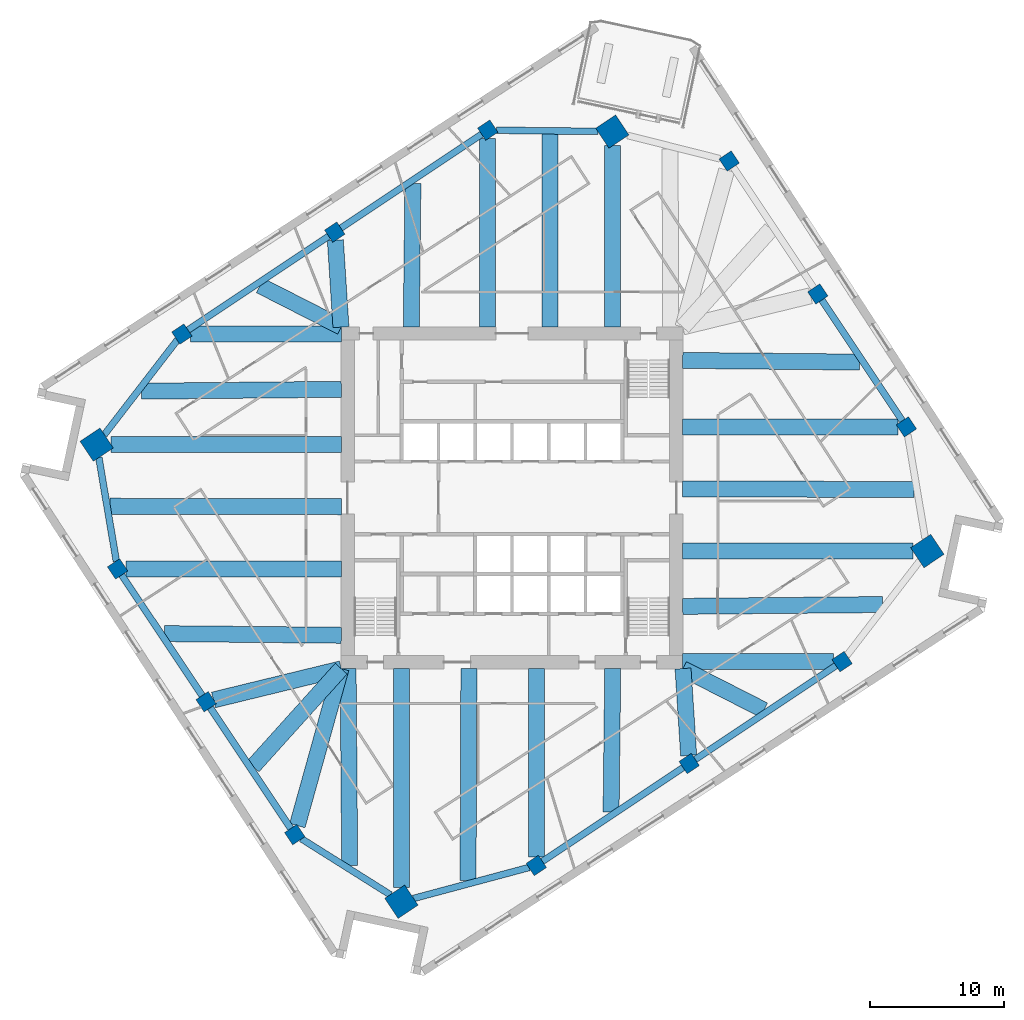
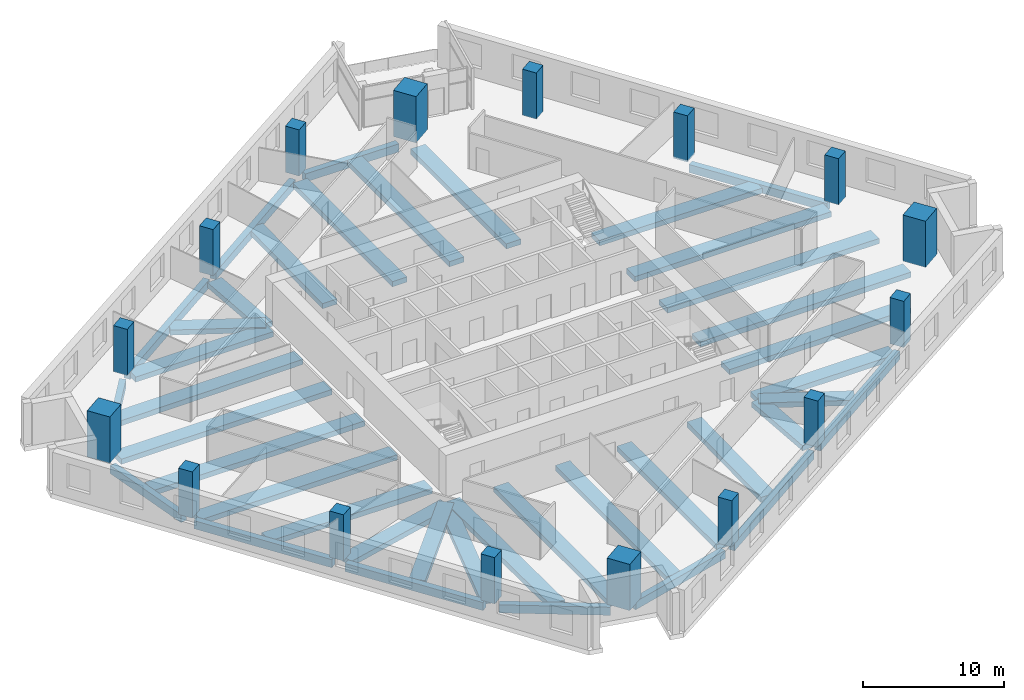
# One storey, part 1 of 12: 40 beams, 16 columns.
"""IFC4 building model written with IfcOpenShell, lengths in metres."""

import ifcopenshell
import ifcopenshell.guid

model = None  # the IFC model being written
_history = None  # IfcOwnerHistory: only IFC2X3 demands one
_inside = {}  # id of a spatial element -> (the spatial element, [elements in it])
_under = {}  # id of a project, library or spatial element -> (it, [spatial elements below it])
_declared = {}  # id of a project -> (the project, [libraries it declares])
_typed = {}  # id of a type object -> (the type object, [elements of that type])
_made_of = {}  # id of a material, layer set ... -> (it, [elements and type objects made of it])


def new_model(schema):
    """Start an empty IFC model of exactly this schema.

    Asked for "IFC4X3", IfcOpenShell would pick the latest addendum, in which some entities
    have other attributes; the version numbers below select the first issue.
    IFC2X3 requires an IfcOwnerHistory on every rooted entity: one is made here for all.
    """
    global model, _history
    if schema == "IFC4X3":
        model = ifcopenshell.file(schema_version=(4, 3, 0, 0))
    else:
        model = ifcopenshell.file(schema=schema)
    _inside.clear()
    _under.clear()
    _declared.clear()
    _typed.clear()
    _made_of.clear()
    _history = None
    if model.schema == "IFC2X3":
        org = make("IfcOrganization", Name="unknown")
        user = make(
            "IfcPersonAndOrganization",
            ThePerson=make("IfcPerson", FamilyName="unknown"),
            TheOrganization=org,
        )
        app = make(
            "IfcApplication",
            ApplicationDeveloper=org,
            Version="unknown",
            ApplicationFullName="unknown",
            ApplicationIdentifier="unknown",
        )
        _history = make(
            "IfcOwnerHistory",
            OwningUser=user,
            OwningApplication=app,
            ChangeAction="ADDED",
            CreationDate=0,
        )
    return model


def make(cls, **values):
    """One entity of the class cls with the attributes given. An attribute that is None is left unset."""
    return model.create_entity(
        cls, **{name: value for name, value in values.items() if value is not None}
    )


def rooted(cls, **values):
    """An entity with a GlobalId (a new one), such as an element, a storey or a relation."""
    return make(cls, GlobalId=ifcopenshell.guid.new(), OwnerHistory=_history, **values)


def si_unit(unit_type, name, prefix=None):
    """IfcSIUnit, for example si_unit("LENGTHUNIT", "METRE", prefix="MILLI")."""
    return make("IfcSIUnit", UnitType=unit_type, Prefix=prefix, Name=name)


def assignment(units):
    """IfcUnitAssignment: the units of a project."""
    return None if units is None else make("IfcUnitAssignment", Units=units)


def point(xyz):
    """IfcCartesianPoint."""
    return None if xyz is None else make("IfcCartesianPoint", Coordinates=xyz)


def direction(xyz):
    """IfcDirection."""
    return None if xyz is None else make("IfcDirection", DirectionRatios=xyz)


def frame(location, z_axis=None, x_axis=None):
    """IfcAxis2Placement3D, a coordinate frame: its origin and axes. An axis left out is left unset."""
    return make(
        "IfcAxis2Placement3D",
        Location=point(location),
        Axis=direction(z_axis),
        RefDirection=direction(x_axis),
    )


def frame_2d(location, x_axis=None):
    """IfcAxis2Placement2D, a coordinate frame in the plane: its origin and x axis."""
    return make(
        "IfcAxis2Placement2D", Location=point(location), RefDirection=direction(x_axis)
    )


def origin():
    """The frame at (0, 0, 0) with its axes left unset."""
    return frame((0.0, 0.0, 0.0))


def origin_2d():
    """The frame at (0, 0) in the plane with its x axis left unset."""
    return frame_2d((0.0, 0.0))


def place(relative_to, where):
    """IfcLocalPlacement: puts the frame where relative to a parent placement (None: the world)."""
    return make(
        "IfcLocalPlacement", PlacementRelTo=relative_to, RelativePlacement=where
    )


def context(
    kind, dimensions, precision=None, world=None, true_north=None, identifier=None
):
    """IfcGeometricRepresentationContext, for example the 3D "Model" context."""
    return make(
        "IfcGeometricRepresentationContext",
        ContextIdentifier=identifier,
        ContextType=kind,
        CoordinateSpaceDimension=dimensions,
        Precision=precision,
        WorldCoordinateSystem=world,
        TrueNorth=true_north,
    )


def subcontext(parent, identifier, kind, view, scale=None):
    """IfcGeometricRepresentationSubContext, for example "Body" below "Model"."""
    return make(
        "IfcGeometricRepresentationSubContext",
        ContextIdentifier=identifier,
        ContextType=kind,
        ParentContext=parent,
        TargetScale=scale,
        TargetView=view,
    )


def project(units=None, contexts=None):
    """IfcProject with its units and contexts."""
    return rooted(
        "IfcProject",
        Name="project",
        RepresentationContexts=contexts,
        UnitsInContext=assignment(units),
    )


def spatial(cls, under=None, at=None, **own):
    """A site, building, storey or space (cls), placed at a placement, below another one or the project."""
    s = rooted(cls, ObjectPlacement=at, **own)
    if under is not None:
        _under.setdefault(under.id(), (under, []))[1].append(s)
    return s


def profile(cls, at=None, kind="AREA", **sizes):
    """A parametric profile (cls). Its sizes go by their IFC names, for example OverallWidth=200.0."""
    return make(cls, ProfileType=kind, Position=at, **sizes)


def rectangle(**sizes):
    """IfcRectangleProfileDef."""
    return profile("IfcRectangleProfileDef", **sizes)


def extrude(swept, where, along, depth):
    """IfcExtrudedAreaSolid: the profile swept, set in the frame where, extruded along a direction by depth."""
    return make(
        "IfcExtrudedAreaSolid",
        SweptArea=swept,
        Position=where,
        ExtrudedDirection=direction(along),
        Depth=depth,
    )


def shape(context_of_items, identifier, shape_type, items):
    """IfcShapeRepresentation: the items that make up one representation, for example the "Body"."""
    return make(
        "IfcShapeRepresentation",
        ContextOfItems=context_of_items,
        RepresentationIdentifier=identifier,
        RepresentationType=shape_type,
        Items=items,
    )


def material(Name=None, Category=None):
    """IfcMaterial."""
    return make("IfcMaterial", Name=Name, Category=Category)


def material_profile(
    of_material, cross_section, Name=None, Category=None, Priority=None
):
    """IfcMaterialProfile: a cross section and its material."""
    return make(
        "IfcMaterialProfile",
        Name=Name,
        Material=of_material,
        Profile=cross_section,
        Priority=Priority,
        Category=Category,
    )


def profile_set(profiles, Name=None, composite=None):
    """IfcMaterialProfileSet."""
    return make(
        "IfcMaterialProfileSet",
        Name=Name,
        MaterialProfiles=profiles,
        CompositeProfile=composite,
    )


def made_of(thing, what):
    """Note that an element or type object is made of a material, layer set ...; save() writes the relation."""
    if what is not None:
        _made_of.setdefault(what.id(), (what, []))[1].append(thing)
    return thing


def type_object(cls, material=None, **own):
    """A type object (cls), such as IfcWallType, which elements share."""
    return made_of(rooted(cls, **own), material)


def element(
    cls,
    number,
    at=None,
    inside=None,
    cuts=None,
    type_object=None,
    material=None,
    context=None,
    identifier="Body",
    shape_type=None,
    held_by="IfcProductDefinitionShape",
    body=None,
    shapes=None,
    **own,
):
    """One element of the class cls, such as IfcWall. Its Tag is "e" and its number.

    at: its placement. inside: the storey or other place that contains it. cuts: it is an
    opening in that element (IfcRelVoidsElement). A single representation is given by context,
    identifier, shape_type and body (its items); several are given by shapes. held_by: the class
    of the entity that holds the representations. save() writes the other relations.
    """
    e = rooted(cls, Tag="e%d" % number, ObjectPlacement=at, **own)
    if body is not None:
        shapes = [shape(context, identifier, shape_type, body)]
    if shapes is not None:
        e.Representation = make(held_by, Representations=shapes)
    if inside is not None:
        _inside.setdefault(inside.id(), (inside, []))[1].append(e)
    if cuts is not None:
        rooted(
            "IfcRelVoidsElement", RelatingBuildingElement=cuts, RelatedOpeningElement=e
        )
    if type_object is not None:
        _typed.setdefault(type_object.id(), (type_object, []))[1].append(e)
    return made_of(e, material)


def aggregate(whole, parts):
    """IfcRelAggregates: a whole, such as a stair, and the parts it consists of."""
    return rooted("IfcRelAggregates", RelatingObject=whole, RelatedObjects=parts)


def save(model, path):
    """Write the relations noted so far, then the file.

    IfcRelAggregates (storeys below a building ...), IfcRelContainedInSpatialStructure (elements
    in a storey), IfcRelDefinesByType, IfcRelAssociatesMaterial and IfcRelDeclares: one each for
    every whole, place, type object, material and project.
    """
    for whole, parts in _under.values():
        aggregate(whole, parts)
    for where, things in _inside.values():
        rooted(
            "IfcRelContainedInSpatialStructure",
            RelatedElements=things,
            RelatingStructure=where,
        )
    for kind, things in _typed.values():
        rooted("IfcRelDefinesByType", RelatedObjects=things, RelatingType=kind)
    for what, things in _made_of.values():
        rooted("IfcRelAssociatesMaterial", RelatedObjects=things, RelatingMaterial=what)
    for by, libraries in _declared.values():
        rooted("IfcRelDeclares", RelatingContext=by, RelatedDefinitions=libraries)
    model.write(path)


model = new_model("IFC4")

# Units and contexts
model_context = context("Model", 3, precision=1e-05, world=origin(), true_north=direction((0.0, 1.0)))
body_context = subcontext(model_context, "Body", "Model", "MODEL_VIEW")
ifc_project = project(units=[si_unit("LENGTHUNIT", "METRE"), si_unit("AREAUNIT", "SQUARE_METRE"), si_unit("VOLUMEUNIT", "CUBIC_METRE"), si_unit("PLANEANGLEUNIT", "RADIAN"), si_unit("MASSUNIT", "GRAM", prefix="KILO")], contexts=[model_context])

# Site, building, storey
site_placement = place(None, origin())
site = spatial("IfcSite", under=ifc_project, at=site_placement, CompositionType="ELEMENT")
building_placement = place(site_placement, origin())
building = spatial("IfcBuilding", under=site, at=building_placement, Name="Dilmun Exchange Tower", CompositionType="ELEMENT")
storey_placement = place(building_placement, frame((0.0, 0.0, 155.699951171875)))
storey = spatial("IfcBuildingStorey", under=building, at=storey_placement, Name="L36", CompositionType="ELEMENT", Elevation=155.699951171875)

# Columns
ifc_material_1 = material(Name="Concrete C60/75", Category="concrete")
ifc_material_profile_1 = material_profile(ifc_material_1, rectangle(XDim=1.800048828125, YDim=1.800048828125, at=origin_2d()), Name="1800 x 1800")
ifc_profile_set_1 = profile_set([ifc_material_profile_1], Name="Concrete C60/75")
column_type_1 = type_object("IfcColumnType", Name="RC mega column 1800 x 1800 C60/75", PredefinedType="COLUMN", material=ifc_profile_set_1)
for number, where, z_axis, x_axis, name in (
    (1, (7.506103515625, 27.409912109375, 0.0), (0.0, 0.0, 1.0), (0.832028680356, 0.55473261583, 0.0), "Mega column M1"),
    (2, (-31.0791015625, 3.98193359375, 0.0), (0.0, 0.0, 1.0), (0.832028680356, 0.55473261583, 0.0), "Mega column M2"),
    (3, (-8.27587890625, -30.220947265625, 0.0), (0.0, 0.0, 1.0), (0.832028680356, 0.55473261583, 0.0), "Mega column M3"),
    (4, (31.0791015625, -3.98193359375, 0.0), (0.0, 0.0, 1.0), (0.832028680356, 0.55473261583, 0.0), "Mega column M4"),
):
    element("IfcColumn", number, at=place(storey_placement, frame(where, z_axis=z_axis, x_axis=x_axis)), inside=storey, type_object=column_type_1, Name=name, PredefinedType="COLUMN", context=body_context, shape_type="SweptSolid", body=[
        extrude(rectangle(XDim=1.800048828125, YDim=1.800048828125, at=origin_2d()), origin(), (0.0, 0.0, 1.0), 4.0),
    ])
ifc_material_profile_2 = material_profile(ifc_material_1, rectangle(XDim=1.10009765625, YDim=1.10009765625, at=origin_2d()), Name="1100 x 1100")
ifc_profile_set_2 = profile_set([ifc_material_profile_2], Name="Concrete C60/75")
column_type_2 = type_object("IfcColumnType", Name="RC ring column 1100 x 1100 C60/75", PredefinedType="COLUMN", material=ifc_profile_set_2)
for number, where, z_axis, x_axis, name in (
    (5, (-1.818115234375, 27.512939453125, 0.0), (0.0, 0.0, 1.0), (0.832028680356, 0.55473261583, 0.0), "Ring column R01"),
    (6, (-13.258056640625, 19.885009765625, 0.0), (0.0, 0.0, 1.0), (0.832028680356, 0.55473261583, 0.0), "Ring column R02"),
    (7, (-24.698974609375, 12.258056640625, 0.0), (0.0, 0.0, 1.0), (0.832028680356, 0.55473261583, 0.0), "Ring column R03"),
    (8, (-29.510009765625, -5.31201171875, 0.0), (0.0, 0.0, 1.0), (0.832028680356, 0.55473261583, 0.0), "Ring column R04"),
    (9, (-22.881103515625, -15.2548828125, 0.0), (0.0, 0.0, 1.0), (0.832028680356, 0.55473261583, 0.0), "Ring column R05"),
    (10, (-16.251953125, -25.197998046875, 0.0), (0.0, 0.0, 1.0), (0.832028680356, 0.55473261583, 0.0), "Ring column R06"),
    (11, (1.818115234375, -27.512939453125, 0.0), (0.0, 0.0, 1.0), (0.832028680356, 0.55473261583, 0.0), "Ring column R07"),
    (12, (13.258056640625, -19.885009765625, 0.0), (0.0, 0.0, 1.0), (0.832028680356, 0.55473261583, 0.0), "Ring column R08"),
    (13, (24.698974609375, -12.258056640625, 0.0), (0.0, 0.0, 1.0), (0.832028680356, 0.55473261583, 0.0), "Ring column R09"),
    (14, (29.510009765625, 5.31201171875, 0.0), (0.0, 0.0, 1.0), (0.832028680356, 0.55473261583, 0.0), "Ring column R10"),
    (15, (22.881103515625, 15.2548828125, 0.0), (0.0, 0.0, 1.0), (0.832028680356, 0.55473261583, 0.0), "Ring column R11"),
    (16, (16.251953125, 25.197998046875, 0.0), (0.0, 0.0, 1.0), (0.832028680356, 0.55473261583, 0.0), "Ring column R12"),
):
    element("IfcColumn", number, at=place(storey_placement, frame(where, z_axis=z_axis, x_axis=x_axis)), inside=storey, type_object=column_type_2, Name=name, PredefinedType="COLUMN", context=body_context, shape_type="SweptSolid", body=[
        extrude(rectangle(XDim=1.10009765625, YDim=1.10009765625, at=origin_2d()), origin(), (0.0, 0.0, 1.0), 4.0),
    ])

# Beams
ifc_material_2 = material(Name="Concrete C40/50", Category="concrete")
ifc_material_profile_3 = material_profile(ifc_material_2, rectangle(XDim=1.199951171875, YDim=0.449951171875, at=origin_2d()), Name="1200 x 450")
ifc_profile_set_3 = profile_set([ifc_material_profile_3], Name="Concrete C40/50")
beam_type_1 = type_object("IfcBeamType", Name="RC band beam 1200 x 450 C40/50", PredefinedType="BEAM", material=ifc_profile_set_3)
beam_1_placement = place(storey_placement, frame((7.506103515625, 26.355224609375, -0.724853515625), z_axis=(0.0, -1.0, 0.0), x_axis=(1.0, 0.0, 0.0)))
element("IfcBeam", 17, at=beam_1_placement, inside=storey, type_object=beam_type_1, Name="Band beam 1", PredefinedType="BEAM", context=body_context, shape_type="SweptSolid", body=[
    extrude(rectangle(XDim=1.199951171875, YDim=0.449951171875, at=origin_2d()), origin(), (0.0, 0.0, 1.0), 13.582275390625),
])
beam_2_placement = place(storey_placement, frame((-1.818115234375, 26.87890625, -0.724853515625), z_axis=(0.0, -1.0, 0.0), x_axis=(1.0, 0.0, 0.0)))
element("IfcBeam", 18, at=beam_2_placement, inside=storey, type_object=beam_type_1, Name="Band beam 2", PredefinedType="BEAM", context=body_context, shape_type="SweptSolid", body=[
    extrude(rectangle(XDim=1.199951171875, YDim=0.449951171875, at=origin_2d()), origin(), (0.0, 0.0, 1.0), 14.10595703125),
])
beam_3_placement = place(storey_placement, frame((-13.21875, 19.2783203125, -0.724853515625), z_axis=(0.064492965824, -0.997918161654, 0.0), x_axis=(0.997918161654, 0.064492965824, 0.0)))
element("IfcBeam", 19, at=beam_3_placement, inside=storey, type_object=beam_type_1, Name="Band beam 3", PredefinedType="BEAM", context=body_context, shape_type="SweptSolid", body=[
    extrude(rectangle(XDim=1.199951171875, YDim=0.449951171875, at=origin_2d()), origin(), (0.0, 0.0, 1.0), 6.518798828125),
])
beam_4_placement = place(storey_placement, frame((-24.06494140625, 12.258056640625, -0.724853515625), z_axis=(1.0, 0.0, 0.0), x_axis=(0.0, 1.0, 0.0)))
element("IfcBeam", 20, at=beam_4_placement, inside=storey, type_object=beam_type_1, Name="Band beam 4", PredefinedType="BEAM", context=body_context, shape_type="SweptSolid", body=[
    extrude(rectangle(XDim=1.199951171875, YDim=0.449951171875, at=origin_2d()), origin(), (0.0, 0.0, 1.0), 11.2919921875),
])
beam_5_placement = place(storey_placement, frame((-30.0244140625, 3.98193359375, -0.724853515625), z_axis=(1.0, 0.0, 0.0), x_axis=(0.0, 1.0, 0.0)))
element("IfcBeam", 21, at=beam_5_placement, inside=storey, type_object=beam_type_1, Name="Band beam 5", PredefinedType="BEAM", context=body_context, shape_type="SweptSolid", body=[
    extrude(rectangle(XDim=1.199951171875, YDim=0.449951171875, at=origin_2d()), origin(), (0.0, 0.0, 1.0), 17.25146484375),
])
beam_6_placement = place(storey_placement, frame((-28.8759765625, -5.31201171875, -0.724853515625), z_axis=(1.0, 0.0, 0.0), x_axis=(0.0, 1.0, 0.0)))
element("IfcBeam", 22, at=beam_6_placement, inside=storey, type_object=beam_type_1, Name="Band beam 6", PredefinedType="BEAM", context=body_context, shape_type="SweptSolid", body=[
    extrude(rectangle(XDim=1.199951171875, YDim=0.449951171875, at=origin_2d()), origin(), (0.0, 0.0, 1.0), 16.10302734375),
])
beam_7_placement = place(storey_placement, frame((-22.33837890625, -15.122802734375, -0.724853515625), z_axis=(0.971607999859, 0.236596480554, 0.0), x_axis=(-0.236596480554, 0.971607999859, 0.0)))
element("IfcBeam", 23, at=beam_7_placement, inside=storey, type_object=beam_type_1, Name="Band beam 7", PredefinedType="BEAM", context=body_context, shape_type="SweptSolid", body=[
    extrude(rectangle(XDim=1.199951171875, YDim=0.449951171875, at=origin_2d()), origin(), (0.0, 0.0, 1.0), 9.84423828125),
])
beam_8_placement = place(storey_placement, frame((-16.064453125, -24.524658203125, -0.724853515625), z_axis=(0.268225004284, 0.963356292904, 0.0), x_axis=(-0.963356292904, 0.268225004284, 0.0)))
element("IfcBeam", 24, at=beam_8_placement, inside=storey, type_object=beam_type_1, Name="Band beam 8", PredefinedType="BEAM", context=body_context, shape_type="SweptSolid", body=[
    extrude(rectangle(XDim=1.199951171875, YDim=0.449951171875, at=origin_2d()), origin(), (0.0, 0.0, 1.0), 12.19775390625),
])
beam_9_placement = place(storey_placement, frame((-8.27587890625, -29.166259765625, -0.724853515625), z_axis=(0.0, 1.0, 0.0), x_axis=(-1.0, 0.0, 0.0)))
element("IfcBeam", 25, at=beam_9_placement, inside=storey, type_object=beam_type_1, Name="Band beam 9", PredefinedType="BEAM", context=body_context, shape_type="SweptSolid", body=[
    extrude(rectangle(XDim=1.199951171875, YDim=0.449951171875, at=origin_2d()), origin(), (0.0, 0.0, 1.0), 16.393310546875),
])
beam_10_placement = place(storey_placement, frame((1.818115234375, -26.87890625, -0.724853515625), z_axis=(0.0, 1.0, 0.0), x_axis=(-1.0, 0.0, 0.0)))
element("IfcBeam", 26, at=beam_10_placement, inside=storey, type_object=beam_type_1, Name="Band beam 10", PredefinedType="BEAM", context=body_context, shape_type="SweptSolid", body=[
    extrude(rectangle(XDim=1.199951171875, YDim=0.449951171875, at=origin_2d()), origin(), (0.0, 0.0, 1.0), 14.10595703125),
])
beam_11_placement = place(storey_placement, frame((13.21875, -19.2783203125, -0.724853515625), z_axis=(-0.064492965824, 0.997918161654, 0.0), x_axis=(-0.997918161654, -0.064492965824, 0.0)))
element("IfcBeam", 27, at=beam_11_placement, inside=storey, type_object=beam_type_1, Name="Band beam 11", PredefinedType="BEAM", context=body_context, shape_type="SweptSolid", body=[
    extrude(rectangle(XDim=1.199951171875, YDim=0.449951171875, at=origin_2d()), origin(), (0.0, 0.0, 1.0), 6.518798828125),
])
beam_12_placement = place(storey_placement, frame((24.06494140625, -12.258056640625, -0.724853515625), z_axis=(-1.0, 0.0, 0.0), x_axis=(0.0, -1.0, 0.0)))
element("IfcBeam", 28, at=beam_12_placement, inside=storey, type_object=beam_type_1, Name="Band beam 12", PredefinedType="BEAM", context=body_context, shape_type="SweptSolid", body=[
    extrude(rectangle(XDim=1.199951171875, YDim=0.449951171875, at=origin_2d()), origin(), (0.0, 0.0, 1.0), 11.2919921875),
])
beam_13_placement = place(storey_placement, frame((30.0244140625, -3.98193359375, -0.724853515625), z_axis=(-1.0, 0.0, 0.0), x_axis=(0.0, -1.0, 0.0)))
element("IfcBeam", 29, at=beam_13_placement, inside=storey, type_object=beam_type_1, Name="Band beam 13", PredefinedType="BEAM", context=body_context, shape_type="SweptSolid", body=[
    extrude(rectangle(XDim=1.199951171875, YDim=0.449951171875, at=origin_2d()), origin(), (0.0, 0.0, 1.0), 17.25146484375),
])
beam_14_placement = place(storey_placement, frame((28.8759765625, 5.31201171875, -0.724853515625), z_axis=(-1.0, 0.0, 0.0), x_axis=(0.0, -1.0, 0.0)))
element("IfcBeam", 30, at=beam_14_placement, inside=storey, type_object=beam_type_1, Name="Band beam 14", PredefinedType="BEAM", context=body_context, shape_type="SweptSolid", body=[
    extrude(rectangle(XDim=1.199951171875, YDim=0.449951171875, at=origin_2d()), origin(), (0.0, 0.0, 1.0), 16.10302734375),
])
beam_15_placement = place(storey_placement, frame((2.841552734375, 27.238525390625, -0.625), z_axis=(0.00016877352, -0.999999985758, 0.0), x_axis=(0.999999985758, 0.00016877352, 0.0)))
element("IfcBeam", 31, at=beam_15_placement, inside=storey, type_object=beam_type_1, Name="Band beam 17", PredefinedType="BEAM", context=body_context, shape_type="SweptSolid", body=[
    extrude(rectangle(XDim=1.199951171875, YDim=0.449951171875, at=origin_2d()), origin(), (0.0, 0.0, 1.0), 14.465576171875),
])
beam_16_placement = place(storey_placement, frame((-7.414306640625, 23.513427734375, -0.625), z_axis=(-0.011523795482, -0.999933598864, 0.0), x_axis=(0.999933598864, -0.011523795482, 0.0)))
element("IfcBeam", 32, at=beam_16_placement, inside=storey, type_object=beam_type_1, Name="Band beam 18", PredefinedType="BEAM", context=body_context, shape_type="SweptSolid", body=[
    extrude(rectangle(XDim=1.199951171875, YDim=0.449951171875, at=origin_2d()), origin(), (0.0, 0.0, 1.0), 10.7412109375),
])
beam_17_placement = place(storey_placement, frame((-18.854736328125, 15.885986328125, -0.625), z_axis=(0.890922045004, -0.454156261354, 0.0), x_axis=(0.454156261354, 0.890922045004, 0.0)))
element("IfcBeam", 33, at=beam_17_placement, inside=storey, type_object=beam_type_1, Name="Band beam 19", PredefinedType="BEAM", context=body_context, shape_type="SweptSolid", body=[
    extrude(rectangle(XDim=1.199951171875, YDim=0.449951171875, at=origin_2d()), origin(), (0.0, 0.0, 1.0), 6.82275390625),
])
beam_18_placement = place(storey_placement, frame((-27.71240234375, 7.98388671875, -0.625), z_axis=(0.99995842598, 0.009118459957, 0.0), x_axis=(-0.009118459957, 0.99995842598, 0.0)))
element("IfcBeam", 34, at=beam_18_placement, inside=storey, type_object=beam_type_1, Name="Band beam 20", PredefinedType="BEAM", context=body_context, shape_type="SweptSolid", body=[
    extrude(rectangle(XDim=1.199951171875, YDim=0.449951171875, at=origin_2d()), origin(), (0.0, 0.0, 1.0), 14.940185546875),
])
beam_19_placement = place(storey_placement, frame((-30.07470703125, -0.6279296875, -0.625), z_axis=(0.999997699854, -0.002144827713, 0.0), x_axis=(0.002144827713, 0.999997699854, 0.0)))
element("IfcBeam", 35, at=beam_19_placement, inside=storey, type_object=beam_type_1, Name="Band beam 21", PredefinedType="BEAM", context=body_context, shape_type="SweptSolid", body=[
    extrude(rectangle(XDim=1.199951171875, YDim=0.449951171875, at=origin_2d()), origin(), (0.0, 0.0, 1.0), 17.3017578125),
])
beam_20_placement = place(storey_placement, frame((-26.010009765625, -10.159912109375, -0.625), z_axis=(0.999956454863, -0.009332115424, 0.0), x_axis=(0.009332115424, 0.999956454863, 0.0)))
element("IfcBeam", 36, at=beam_20_placement, inside=storey, type_object=beam_type_1, Name="Band beam 22", PredefinedType="BEAM", context=body_context, shape_type="SweptSolid", body=[
    extrude(rectangle(XDim=1.199951171875, YDim=0.449951171875, at=origin_2d()), origin(), (0.0, 0.0, 1.0), 13.237548828125),
])
beam_21_placement = place(storey_placement, frame((-19.381103515625, -20.102783203125, -0.625), z_axis=(0.669462647611, 0.742845719819, 0.0), x_axis=(-0.742845719819, 0.669462647611, 0.0)))
element("IfcBeam", 37, at=beam_21_placement, inside=storey, type_object=beam_type_1, Name="Band beam 23", PredefinedType="BEAM", context=body_context, shape_type="SweptSolid", body=[
    extrude(rectangle(XDim=1.199951171875, YDim=0.449951171875, at=origin_2d()), origin(), (0.0, 0.0, 1.0), 9.857666015625),
])
beam_22_placement = place(storey_placement, frame((-12.145263671875, -27.520751953125, -0.625), z_axis=(-0.008045164826, 0.999967637138, 0.0), x_axis=(-0.999967637138, -0.008045164826, 0.0)))
element("IfcBeam", 38, at=beam_22_placement, inside=storey, type_object=beam_type_1, Name="Band beam 24", PredefinedType="BEAM", context=body_context, shape_type="SweptSolid", body=[
    extrude(rectangle(XDim=1.199951171875, YDim=0.449951171875, at=origin_2d()), origin(), (0.0, 0.0, 1.0), 14.748291015625),
])
beam_23_placement = place(storey_placement, frame((-3.286865234375, -28.651611328125, -0.625), z_axis=(0.003643943273, 0.999993360817, 0.0), x_axis=(-0.999993360817, 0.003643943273, 0.0)))
element("IfcBeam", 39, at=beam_23_placement, inside=storey, type_object=beam_type_1, Name="Band beam 25", PredefinedType="BEAM", context=body_context, shape_type="SweptSolid", body=[
    extrude(rectangle(XDim=1.199951171875, YDim=0.449951171875, at=origin_2d()), origin(), (0.0, 0.0, 1.0), 15.878662109375),
])
beam_24_placement = place(storey_placement, frame((7.414306640625, -23.513427734375, -0.625), z_axis=(0.011523795482, 0.999933598864, 0.0), x_axis=(-0.999933598864, 0.011523795482, 0.0)))
element("IfcBeam", 40, at=beam_24_placement, inside=storey, type_object=beam_type_1, Name="Band beam 26", PredefinedType="BEAM", context=body_context, shape_type="SweptSolid", body=[
    extrude(rectangle(XDim=1.199951171875, YDim=0.449951171875, at=origin_2d()), origin(), (0.0, 0.0, 1.0), 10.7412109375),
])
beam_25_placement = place(storey_placement, frame((18.854736328125, -15.885986328125, -0.625), z_axis=(-0.890922045004, 0.454156261354, 0.0), x_axis=(-0.454156261354, -0.890922045004, 0.0)))
element("IfcBeam", 41, at=beam_25_placement, inside=storey, type_object=beam_type_1, Name="Band beam 27", PredefinedType="BEAM", context=body_context, shape_type="SweptSolid", body=[
    extrude(rectangle(XDim=1.199951171875, YDim=0.449951171875, at=origin_2d()), origin(), (0.0, 0.0, 1.0), 6.82275390625),
])
beam_26_placement = place(storey_placement, frame((27.71240234375, -7.98388671875, -0.625), z_axis=(-0.99995842598, -0.009118459957, 0.0), x_axis=(0.009118459957, -0.99995842598, 0.0)))
element("IfcBeam", 42, at=beam_26_placement, inside=storey, type_object=beam_type_1, Name="Band beam 28", PredefinedType="BEAM", context=body_context, shape_type="SweptSolid", body=[
    extrude(rectangle(XDim=1.199951171875, YDim=0.449951171875, at=origin_2d()), origin(), (0.0, 0.0, 1.0), 14.940185546875),
])
beam_27_placement = place(storey_placement, frame((30.07470703125, 0.6279296875, -0.625), z_axis=(-0.999997699854, 0.002144827713, 0.0), x_axis=(-0.002144827713, -0.999997699854, 0.0)))
element("IfcBeam", 43, at=beam_27_placement, inside=storey, type_object=beam_type_1, Name="Band beam 29", PredefinedType="BEAM", context=body_context, shape_type="SweptSolid", body=[
    extrude(rectangle(XDim=1.199951171875, YDim=0.449951171875, at=origin_2d()), origin(), (0.0, 0.0, 1.0), 17.3017578125),
])
beam_28_placement = place(storey_placement, frame((26.010009765625, 10.159912109375, -0.625), z_axis=(-0.999956454863, 0.009332115424, 0.0), x_axis=(-0.009332115424, -0.999956454863, 0.0)))
element("IfcBeam", 44, at=beam_28_placement, inside=storey, type_object=beam_type_1, Name="Band beam 30", PredefinedType="BEAM", context=body_context, shape_type="SweptSolid", body=[
    extrude(rectangle(XDim=1.199951171875, YDim=0.449951171875, at=origin_2d()), origin(), (0.0, 0.0, 1.0), 13.237548828125),
])
ifc_material_profile_4 = material_profile(ifc_material_2, rectangle(XDim=0.5, YDim=0.699951171875, at=origin_2d()), Name="500 x 700")
ifc_profile_set_4 = profile_set([ifc_material_profile_4], Name="Concrete C40/50")
beam_type_2 = type_object("IfcBeamType", Name="RC ring beam 500 x 700 C40/50", PredefinedType="SPANDREL", material=ifc_profile_set_4)
beam_29_placement = place(storey_placement, frame((6.443359375, 27.421630859375, -0.75), z_axis=(-0.999938955437, 0.011049226175, 0.0), x_axis=(-0.011049226175, -0.999938955437, 0.0)))
element("IfcBeam", 45, at=beam_29_placement, inside=storey, type_object=beam_type_2, Name="Ring beam 1", PredefinedType="SPANDREL", context=body_context, shape_type="SweptSolid", body=[
    extrude(rectangle(XDim=0.5, YDim=0.699951171875, at=origin_2d()), origin(), (0.0, 0.0, 1.0), 7.623046875),
])
beam_30_placement = place(storey_placement, frame((-2.253173828125, 27.222900390625, -0.75), z_axis=(-0.832002986666, -0.554771151177, 0.0), x_axis=(0.554771151177, -0.832002986666, 0.0)))
element("IfcBeam", 46, at=beam_30_placement, inside=storey, type_object=beam_type_2, Name="Ring beam 2", PredefinedType="SPANDREL", context=body_context, shape_type="SweptSolid", body=[
    extrude(rectangle(XDim=0.5, YDim=0.699951171875, at=origin_2d()), origin(), (0.0, 0.0, 1.0), 12.7041015625),
])
beam_31_placement = place(storey_placement, frame((-13.693115234375, 19.594970703125, -0.75), z_axis=(-0.832062120058, -0.554682457235, 0.0), x_axis=(0.554682457235, -0.832062120058, 0.0)))
element("IfcBeam", 47, at=beam_31_placement, inside=storey, type_object=beam_type_2, Name="Ring beam 3", PredefinedType="SPANDREL", context=body_context, shape_type="SweptSolid", body=[
    extrude(rectangle(XDim=0.5, YDim=0.699951171875, at=origin_2d()), origin(), (0.0, 0.0, 1.0), 12.704345703125),
])
beam_32_placement = place(storey_placement, frame((-25.037109375, 11.819580078125, -0.75), z_axis=(-0.610521727247, -0.791999507929, 0.0), x_axis=(0.791999507929, -0.610521727247, 0.0)))
element("IfcBeam", 48, at=beam_32_placement, inside=storey, type_object=beam_type_2, Name="Ring beam 4", PredefinedType="SPANDREL", context=body_context, shape_type="SweptSolid", body=[
    extrude(rectangle(XDim=0.5, YDim=0.699951171875, at=origin_2d()), origin(), (0.0, 0.0, 1.0), 8.97314453125),
])
beam_33_placement = place(storey_placement, frame((-30.91943359375, 3.036376953125, -0.75), z_axis=(0.166485785433, -0.986043854628, 0.0), x_axis=(0.986043854628, 0.166485785433, 0.0)))
element("IfcBeam", 49, at=beam_33_placement, inside=storey, type_object=beam_type_2, Name="Ring beam 5", PredefinedType="SPANDREL", context=body_context, shape_type="SweptSolid", body=[
    extrude(rectangle(XDim=0.5, YDim=0.699951171875, at=origin_2d()), origin(), (0.0, 0.0, 1.0), 7.890869140625),
])
for number, where, z_axis, x_axis, name in (
    (50, (-29.219970703125, -5.747314453125, -0.75), (0.554731197186, -0.832029626196, 0.0), (0.832029626196, 0.554731197186, 0.0), "Ring beam 6"),
    (51, (-22.5908203125, -15.690185546875, -0.75), (0.554731197186, -0.832029626196, 0.0), (0.832029626196, 0.554731197186, 0.0), "Ring beam 7"),
):
    element("IfcBeam", number, at=place(storey_placement, frame(where, z_axis=z_axis, x_axis=x_axis)), inside=storey, type_object=beam_type_2, Name=name, PredefinedType="SPANDREL", context=body_context, shape_type="SweptSolid", body=[
        extrude(rectangle(XDim=0.5, YDim=0.699951171875, at=origin_2d()), origin(), (0.0, 0.0, 1.0), 10.904052734375),
    ])
beam_34_placement = place(storey_placement, frame((-15.764892578125, -25.504638671875, -0.75), z_axis=(0.846177038183, -0.532901885953, 0.0), x_axis=(0.532901885953, 0.846177038183, 0.0)))
element("IfcBeam", 52, at=beam_34_placement, inside=storey, type_object=beam_type_2, Name="Ring beam 8", PredefinedType="SPANDREL", context=body_context, shape_type="SweptSolid", body=[
    extrude(rectangle(XDim=0.5, YDim=0.699951171875, at=origin_2d()), origin(), (0.0, 0.0, 1.0), 7.891357421875),
])
beam_35_placement = place(storey_placement, frame((-7.384521484375, -29.981689453125, -0.75), z_axis=(0.965850974034, 0.259098236113, 0.0), x_axis=(-0.259098236113, 0.965850974034, 0.0)))
element("IfcBeam", 53, at=beam_35_placement, inside=storey, type_object=beam_type_2, Name="Ring beam 9", PredefinedType="SPANDREL", context=body_context, shape_type="SweptSolid", body=[
    extrude(rectangle(XDim=0.5, YDim=0.699951171875, at=origin_2d()), origin(), (0.0, 0.0, 1.0), 8.97412109375),
])
beam_36_placement = place(storey_placement, frame((2.253173828125, -27.222900390625, -0.75), z_axis=(0.832002986666, 0.554771151177, 0.0), x_axis=(-0.554771151177, 0.832002986666, 0.0)))
element("IfcBeam", 54, at=beam_36_placement, inside=storey, type_object=beam_type_2, Name="Ring beam 10", PredefinedType="SPANDREL", context=body_context, shape_type="SweptSolid", body=[
    extrude(rectangle(XDim=0.5, YDim=0.699951171875, at=origin_2d()), origin(), (0.0, 0.0, 1.0), 12.7041015625),
])
beam_37_placement = place(storey_placement, frame((13.693115234375, -19.594970703125, -0.75), z_axis=(0.832062120058, 0.554682457235, 0.0), x_axis=(-0.554682457235, 0.832062120058, 0.0)))
element("IfcBeam", 55, at=beam_37_placement, inside=storey, type_object=beam_type_2, Name="Ring beam 11", PredefinedType="SPANDREL", context=body_context, shape_type="SweptSolid", body=[
    extrude(rectangle(XDim=0.5, YDim=0.699951171875, at=origin_2d()), origin(), (0.0, 0.0, 1.0), 12.704345703125),
])
beam_38_placement = place(storey_placement, frame((29.219970703125, 5.747314453125, -0.75), z_axis=(-0.554731197186, 0.832029626196, 0.0), x_axis=(-0.832029626196, -0.554731197186, 0.0)))
element("IfcBeam", 56, at=beam_38_placement, inside=storey, type_object=beam_type_2, Name="Ring beam 14", PredefinedType="SPANDREL", context=body_context, shape_type="SweptSolid", body=[
    extrude(rectangle(XDim=0.5, YDim=0.699951171875, at=origin_2d()), origin(), (0.0, 0.0, 1.0), 10.904052734375),
])

save(model, "model.ifc")
